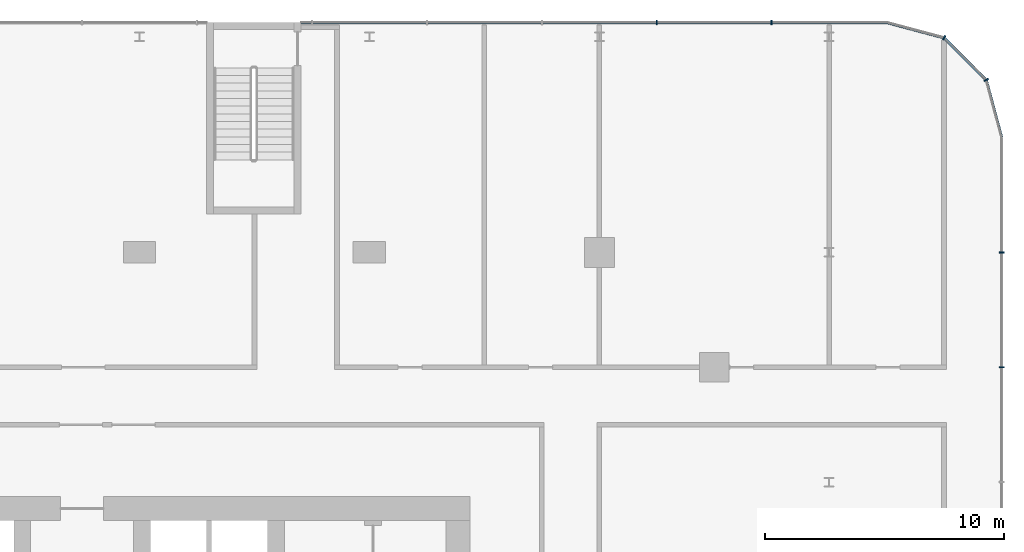
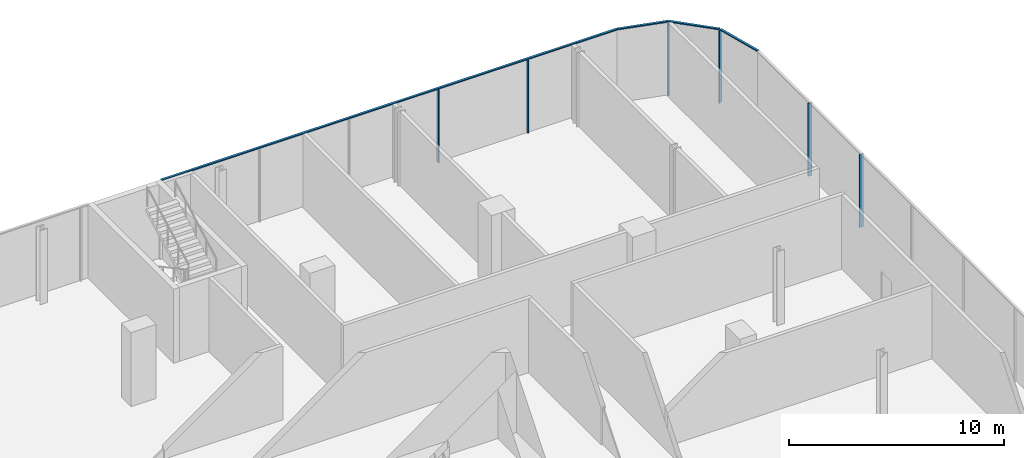
# One storey, part 20 of 38: 10 members, 3 elements without a shape of their own.
"""IFC4 building model written with IfcOpenShell, lengths in metres."""

from ifc_helpers import new_model, si_unit, direction, frame, origin, origin_2d, place, context, subcontext, project, spatial, rectangle, extrude, material, layer, layer_set, material_profile, profile_set, type_object, element, aggregate, save


model = new_model("IFC4")

# Units and contexts
model_context = context("Model", 3, precision=1e-05, world=origin(), true_north=direction((0.0, 1.0)))
body_context = subcontext(model_context, "Body", "Model", "MODEL_VIEW")
ifc_project = project(units=[si_unit("LENGTHUNIT", "METRE"), si_unit("AREAUNIT", "SQUARE_METRE"), si_unit("VOLUMEUNIT", "CUBIC_METRE"), si_unit("PLANEANGLEUNIT", "RADIAN"), si_unit("MASSUNIT", "GRAM", prefix="KILO")], contexts=[model_context])

# Site, building, storey
site_placement = place(None, origin())
site = spatial("IfcSite", under=ifc_project, at=site_placement, CompositionType="ELEMENT")
building_placement = place(site_placement, origin())
building = spatial("IfcBuilding", under=site, at=building_placement, Name="Madar Terraces", CompositionType="ELEMENT")
storey_placement = place(building_placement, frame((0.0, 0.0, 15.0)))
storey = spatial("IfcBuildingStorey", under=building, at=storey_placement, Name="L03", CompositionType="ELEMENT", Elevation=15.0)

# Curtain wall, members
ifc_material_1 = material(Name="Glass, clear low-iron, with black aluminium frame", Category="aluminium")
ifc_layer = layer(ifc_material_1, 0.199951171875)
ifc_layer_set = layer_set([ifc_layer], Name="Facade curtain wall, shopfront glazing")
curtain_wall_type = type_object("IfcCurtainWallType", Name="Facade curtain wall, shopfront glazing", PredefinedType="NOTDEFINED", material=ifc_layer_set)
curtain_wall_1_placement = place(storey_placement, origin())
curtain_wall_1 = element("IfcCurtainWall", 1, at=curtain_wall_1_placement, inside=storey, type_object=curtain_wall_type, Name="Outer skin curtain wall east bay 1", PredefinedType="NOTDEFINED")
ifc_material_2 = material(Name="Aluminium, black anodised", Category="aluminium")
ifc_material_profile_1 = material_profile(ifc_material_2, rectangle(XDim=0.199951171875, YDim=0.06005859375, at=origin_2d()), Name="Facade mullion 60x200")
ifc_profile_set_1 = profile_set([ifc_material_profile_1], Name="Aluminium, black anodised")
member_type_1 = type_object("IfcMemberType", Name="Facade mullion 60x200", PredefinedType="MULLION", material=ifc_profile_set_1)
member_1_placement = place(storey_placement, frame((69.60009765625, 43.199951171875, 0.0), z_axis=(0.0, 0.0, 1.0), x_axis=(-1.0, 0.0, 0.0)))
member_1 = element("IfcMember", 2, at=member_1_placement, type_object=member_type_1, Name="Mullion 9", PredefinedType="MULLION", context=body_context, shape_type="SweptSolid", body=[
    extrude(rectangle(XDim=0.199951171875, YDim=0.06005859375, at=origin_2d()), origin(), (0.0, 0.0, 1.0), 4.139892578125),
])
member_2_placement = place(storey_placement, frame((69.60009765625, 48.0, 0.0), z_axis=(0.0, 0.0, 1.0), x_axis=(-1.0, 0.0, 0.0)))
member_2 = element("IfcMember", 3, at=member_2_placement, type_object=member_type_1, Name="Mullion 10", PredefinedType="MULLION", context=body_context, shape_type="SweptSolid", body=[
    extrude(rectangle(XDim=0.199951171875, YDim=0.06005859375, at=origin_2d()), origin(), (0.0, 0.0, 1.0), 4.139892578125),
])
aggregate(curtain_wall_1, [member_1, member_2])

curtain_wall_2_placement = place(storey_placement, origin())
curtain_wall_2 = element("IfcCurtainWall", 4, at=curtain_wall_2_placement, inside=storey, type_object=curtain_wall_type, Name="Outer skin curtain wall north bay 1", PredefinedType="NOTDEFINED")
member_3_placement = place(storey_placement, frame((60.0, 57.60009765625, 0.0), z_axis=(0.0, 0.0, 1.0), x_axis=(0.0, -1.0, 0.0)))
member_3 = element("IfcMember", 5, at=member_3_placement, type_object=member_type_1, Name="Mullion 1", PredefinedType="MULLION", context=body_context, shape_type="SweptSolid", body=[
    extrude(rectangle(XDim=0.199951171875, YDim=0.06005859375, at=origin_2d()), origin(), (0.0, 0.0, 1.0), 4.139892578125),
])
member_4_placement = place(storey_placement, frame((55.199951171875, 57.60009765625, 0.0), z_axis=(0.0, 0.0, 1.0), x_axis=(0.0, -1.0, 0.0)))
member_4 = element("IfcMember", 6, at=member_4_placement, type_object=member_type_1, Name="Mullion 2", PredefinedType="MULLION", context=body_context, shape_type="SweptSolid", body=[
    extrude(rectangle(XDim=0.199951171875, YDim=0.06005859375, at=origin_2d()), origin(), (0.0, 0.0, 1.0), 4.139892578125),
])

curtain_wall_3_placement = place(storey_placement, origin())
curtain_wall_3 = element("IfcCurtainWall", 7, at=curtain_wall_3_placement, inside=storey, type_object=curtain_wall_type, Name="Outer skin curtain wall north-east corner", PredefinedType="NOTDEFINED")
member_5_placement = place(storey_placement, frame((68.95703125, 55.199951171875, 0.0), z_axis=(0.0, 0.0, 1.0), x_axis=(-0.866025409797, -0.499999989586, 0.0)))
member_5 = element("IfcMember", 8, at=member_5_placement, type_object=member_type_1, Name="Mullion 1", PredefinedType="MULLION", context=body_context, shape_type="SweptSolid", body=[
    extrude(rectangle(XDim=0.199951171875, YDim=0.06005859375, at=origin_2d()), origin(), (0.0, 0.0, 1.0), 4.139892578125),
])
member_6_placement = place(storey_placement, frame((67.199951171875, 56.95703125, 0.0), z_axis=(0.0, 0.0, 1.0), x_axis=(-0.499999989586, -0.866025409797, 0.0)))
member_6 = element("IfcMember", 9, at=member_6_placement, type_object=member_type_1, Name="Mullion 2", PredefinedType="MULLION", context=body_context, shape_type="SweptSolid", body=[
    extrude(rectangle(XDim=0.199951171875, YDim=0.06005859375, at=origin_2d()), origin(), (0.0, 0.0, 1.0), 4.139892578125),
])

# Member
ifc_material_3 = material(Name="Aluminium, black anodised", Category="aluminium")
ifc_material_profile_2 = material_profile(ifc_material_3, rectangle(XDim=0.1201171875, YDim=0.06005859375, at=origin_2d()), Name="Facade transom 60x120")
ifc_profile_set_2 = profile_set([ifc_material_profile_2], Name="Aluminium, black anodised")
member_type_2 = type_object("IfcMemberType", Name="Facade transom 60x120", PredefinedType="USERDEFINED", material=ifc_profile_set_2)
member_7_placement = place(storey_placement, frame((64.800048828125, 57.60009765625, 4.169921875), z_axis=(-1.0, 0.0, 0.0), x_axis=(0.0, -1.0, 0.0)))
member_7 = element("IfcMember", 10, at=member_7_placement, type_object=member_type_2, Name="Transom 1", ObjectType="TRANSOM", PredefinedType="USERDEFINED", context=body_context, shape_type="SweptSolid", body=[
    extrude(rectangle(XDim=0.1201171875, YDim=0.06005859375, at=origin_2d()), origin(), (0.0, 0.0, 1.0), 24.449951171875),
])

aggregate(curtain_wall_2, [member_3, member_4, member_7])

member_8_placement = place(storey_placement, frame((69.60009765625, 52.800048828125, 4.169921875), z_axis=(-0.258881906514, 0.965908980432, 0.0), x_axis=(-0.965908980432, -0.258881906514, 0.0)))
member_8 = element("IfcMember", 11, at=member_8_placement, type_object=member_type_2, Name="Transom 1", ObjectType="TRANSOM", PredefinedType="USERDEFINED", context=body_context, shape_type="SweptSolid", body=[
    extrude(rectangle(XDim=0.1201171875, YDim=0.06005859375, at=origin_2d()), origin(), (0.0, 0.0, 1.0), 2.454833984375),
])

member_9_placement = place(storey_placement, frame((68.935791015625, 55.22119140625, 4.169921875), z_axis=(-0.707106781187, 0.707106781187, 0.0), x_axis=(-0.707106781187, -0.707106781187, 0.0)))
member_9 = element("IfcMember", 12, at=member_9_placement, type_object=member_type_2, Name="Transom 2", ObjectType="TRANSOM", PredefinedType="USERDEFINED", context=body_context, shape_type="SweptSolid", body=[
    extrude(rectangle(XDim=0.1201171875, YDim=0.06005859375, at=origin_2d()), origin(), (0.0, 0.0, 1.0), 2.4248046875),
])

member_10_placement = place(storey_placement, frame((67.171142578125, 56.964599609375, 4.169921875), z_axis=(-0.965908980432, 0.258881906514, 0.0), x_axis=(-0.258881906514, -0.965908980432, 0.0)))
member_10 = element("IfcMember", 13, at=member_10_placement, type_object=member_type_2, Name="Transom 3", ObjectType="TRANSOM", PredefinedType="USERDEFINED", context=body_context, shape_type="SweptSolid", body=[
    extrude(rectangle(XDim=0.1201171875, YDim=0.06005859375, at=origin_2d()), origin(), (0.0, 0.0, 1.0), 2.454833984375),
])

aggregate(curtain_wall_3, [member_5, member_8, member_6, member_9, member_10])

save(model, "model.ifc")
